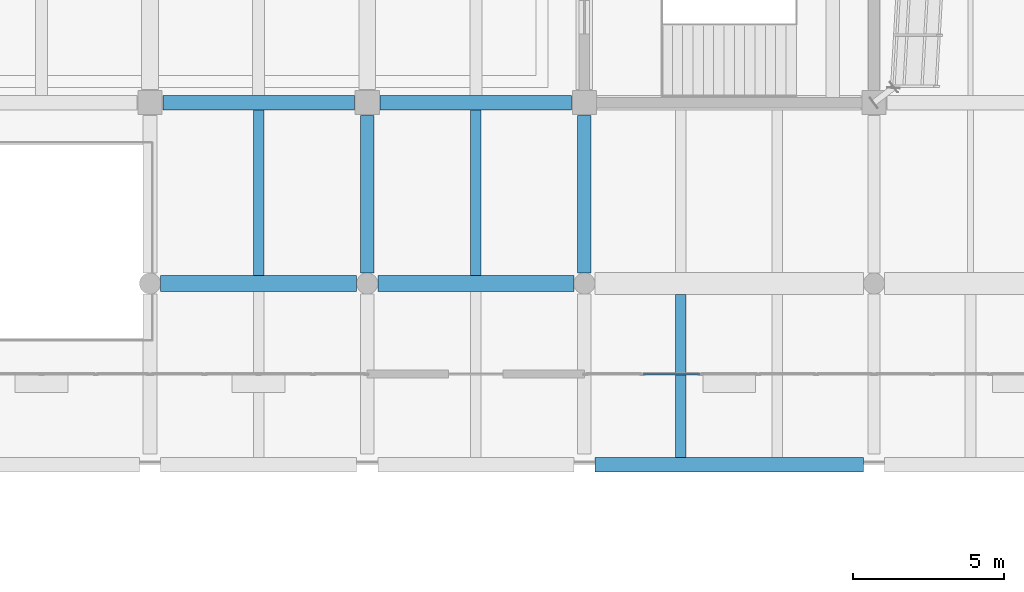
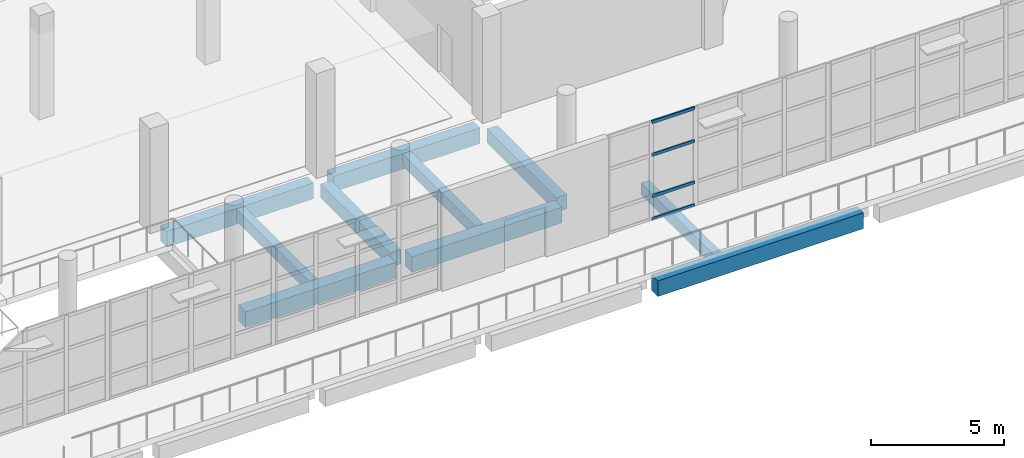
# One storey, part 17 of 79: 10 beams, 4 members, 1 element without a shape of its own.
"""IFC4 building model written with IfcOpenShell, lengths in metres."""

from ifc_helpers import new_model, si_unit, direction, frame, origin, origin_2d, place, context, subcontext, project, spatial, rectangle, hollow_rectangle, extrude, material, material_profile, profile_set, type_object, element, aggregate, save


model = new_model("IFC4")

# Units and contexts
model_context = context("Model", 3, precision=1e-05, world=origin(), true_north=direction((0.0, 1.0)))
body_context = subcontext(model_context, "Body", "Model", "MODEL_VIEW")
ifc_project = project(units=[si_unit("LENGTHUNIT", "METRE"), si_unit("AREAUNIT", "SQUARE_METRE"), si_unit("VOLUMEUNIT", "CUBIC_METRE"), si_unit("PLANEANGLEUNIT", "RADIAN"), si_unit("MASSUNIT", "GRAM", prefix="KILO")], contexts=[model_context])

# Site, building, storey
site_placement = place(None, origin())
site = spatial("IfcSite", under=ifc_project, at=site_placement, CompositionType="ELEMENT")
building_placement = place(site_placement, origin())
building = spatial("IfcBuilding", under=site, at=building_placement, Name="Pellamere Symphony Hall", CompositionType="ELEMENT")
storey_placement = place(building_placement, frame((0.0, 0.0, 10.199951171875)))
storey = spatial("IfcBuildingStorey", under=building, at=storey_placement, Name="L02", CompositionType="ELEMENT", Elevation=10.199951171875)

# Curtain wall, members
ifc_material_1 = material(Name="Thermally Broken Anodised Aluminium 6063-T6 Curtain Wall", Category="aluminium")
curtain_wall_type = type_object("IfcCurtainWallType", Name="Curtain Wall CW-02 (Winter-Garden South Concourse Curtain Wall)", PredefinedType="NOTDEFINED", material=ifc_material_1)
curtain_wall_placement = place(storey_placement, origin())
curtain_wall = element("IfcCurtainWall", 1, at=curtain_wall_placement, inside=storey, type_object=curtain_wall_type, Name="Winter-Garden South Curtain Wall (L02 Bay 10)", PredefinedType="NOTDEFINED")
ifc_material_2 = material(Name="Anodised Architectural Aluminium 6063-T6", Category="aluminium")
ifc_material_profile_1 = material_profile(ifc_material_2, hollow_rectangle(XDim=0.06494140625, YDim=0.139892578125, WallThickness=0.00390625, at=origin_2d()), Name="ALU-T65X140X4")
ifc_profile_set_1 = profile_set([ifc_material_profile_1], Name="Anodised Architectural Aluminium 6063-T6")
member_type = type_object("IfcMemberType", Name="Curtain Wall Transom TR-02 ALU-T65X140X4", PredefinedType="USERDEFINED", material=ifc_profile_set_1)
member_1_placement = place(storey_placement, frame((111.152587890625, 21.0, 0.032470703125), z_axis=(1.0, 0.0, 0.0), x_axis=(0.0, 1.0, 0.0)))
member_1 = element("IfcMember", 2, at=member_1_placement, type_object=member_type, Name="CW2-084 crystal transom 2.1", ObjectType="TRANSOM", PredefinedType="USERDEFINED", context=body_context, shape_type="SweptSolid", body=[
    extrude(hollow_rectangle(XDim=0.06494140625, YDim=0.139892578125, WallThickness=0.00390625, at=origin_2d()), origin(), (0.0, 0.0, 1.0), 1.85498046875),
])
member_2_placement = place(storey_placement, frame((111.152587890625, 21.0, 1.080078125), z_axis=(1.0, 0.0, 0.0), x_axis=(0.0, 1.0, 0.0)))
member_2 = element("IfcMember", 3, at=member_2_placement, type_object=member_type, Name="CW2-084 crystal transom 2.2", ObjectType="TRANSOM", PredefinedType="USERDEFINED", context=body_context, shape_type="SweptSolid", body=[
    extrude(hollow_rectangle(XDim=0.06494140625, YDim=0.139892578125, WallThickness=0.00390625, at=origin_2d()), origin(), (0.0, 0.0, 1.0), 1.85498046875),
])
member_3_placement = place(storey_placement, frame((111.152587890625, 21.0, 2.969970703125), z_axis=(1.0, 0.0, 0.0), x_axis=(0.0, 1.0, 0.0)))
member_3 = element("IfcMember", 4, at=member_3_placement, type_object=member_type, Name="CW2-084 crystal transom 2.3", ObjectType="TRANSOM", PredefinedType="USERDEFINED", context=body_context, shape_type="SweptSolid", body=[
    extrude(hollow_rectangle(XDim=0.06494140625, YDim=0.139892578125, WallThickness=0.00390625, at=origin_2d()), origin(), (0.0, 0.0, 1.0), 1.85498046875),
])
member_4_placement = place(storey_placement, frame((111.152587890625, 21.0, 4.467529296875), z_axis=(1.0, 0.0, 0.0), x_axis=(0.0, 1.0, 0.0)))
member_4 = element("IfcMember", 5, at=member_4_placement, type_object=member_type, Name="CW2-084 crystal transom 2.4", ObjectType="TRANSOM", PredefinedType="USERDEFINED", context=body_context, shape_type="SweptSolid", body=[
    extrude(hollow_rectangle(XDim=0.06494140625, YDim=0.139892578125, WallThickness=0.00390625, at=origin_2d()), origin(), (0.0, 0.0, 1.0), 1.85498046875),
])
aggregate(curtain_wall, [member_1, member_2, member_3, member_4])

# Beams
ifc_material_3 = material(Name="Concrete 40 MPa", Category="concrete")
ifc_material_profile_2 = material_profile(ifc_material_3, rectangle(XDim=0.449951171875, YDim=0.64990234375, at=origin_2d()), Name="RC 450x650")
ifc_profile_set_2 = profile_set([ifc_material_profile_2], Name="Concrete 40 MPa")
beam_type_1 = type_object("IfcBeamType", Name="RC CB-08 450x650", PredefinedType="BEAM", material=ifc_profile_set_2)
for number, where, z_axis, x_axis, name in (
    (6, (102.0, 24.35009765625, -0.60498046875), (0.0, 1.0, 0.0), (-1.0, 0.0, 0.0), "Girder CB-08-Y1305 (L02)"),
    (7, (109.199951171875, 24.35009765625, -0.60498046875), (0.0, 1.0, 0.0), (-1.0, 0.0, 0.0), "Girder CB-08-Y1314 (L02)"),
):
    element("IfcBeam", number, at=place(storey_placement, frame(where, z_axis=z_axis, x_axis=x_axis)), inside=storey, type_object=beam_type_1, Name=name, PredefinedType="BEAM", context=body_context, shape_type="SweptSolid", body=[
        extrude(rectangle(XDim=0.449951171875, YDim=0.64990234375, at=origin_2d()), origin(), (0.0, 0.0, 1.0), 5.224853515625),
    ])
ifc_material_4 = material(Name="Concrete 35 MPa", Category="concrete")
ifc_material_profile_3 = material_profile(ifc_material_4, rectangle(XDim=0.35009765625, YDim=0.550048828125, at=origin_2d()), Name="RC 350x550")
ifc_profile_set_3 = profile_set([ifc_material_profile_3], Name="Concrete 35 MPa")
beam_type_2 = type_object("IfcBeamType", Name="RC CB-10 350x550", PredefinedType="BEAM", material=ifc_profile_set_3)
for number, where, z_axis, x_axis, name in (
    (8, (98.39990234375, 24.27001953125, -0.570068359375), (0.0, 1.0, 0.0), (-1.0, 0.0, 0.0), "Secondary Floor Beam CB-10-M1203 (L02)"),
    (9, (105.60009765625, 24.27001953125, -0.570068359375), (0.0, 1.0, 0.0), (-1.0, 0.0, 0.0), "Secondary Floor Beam CB-10-M1303 (L02)"),
):
    element("IfcBeam", number, at=place(storey_placement, frame(where, z_axis=z_axis, x_axis=x_axis)), inside=storey, type_object=beam_type_2, Name=name, PredefinedType="BEAM", context=body_context, shape_type="SweptSolid", body=[
        extrude(rectangle(XDim=0.35009765625, YDim=0.550048828125, at=origin_2d()), origin(), (0.0, 0.0, 1.0), 5.489990234375),
    ])
beam_1_placement = place(storey_placement, frame((112.39990234375, 18.239990234375, -0.570068359375), z_axis=(0.0, 1.0, 0.0), x_axis=(-1.0, 0.0, 0.0)))
element("IfcBeam", 10, at=beam_1_placement, inside=storey, type_object=beam_type_2, Name="Secondary Floor Beam CB-10-A1402 (L02)", PredefinedType="BEAM", context=body_context, shape_type="SweptSolid", body=[
    extrude(rectangle(XDim=0.35009765625, YDim=0.550048828125, at=origin_2d()), origin(), (0.0, 0.0, 1.0), 5.39990234375),
])
ifc_material_profile_4 = material_profile(ifc_material_3, rectangle(XDim=0.47998046875, YDim=0.719970703125, at=origin_2d()), Name="RC 480x720")
ifc_profile_set_4 = profile_set([ifc_material_profile_4], Name="Concrete 40 MPa")
beam_type_3 = type_object("IfcBeamType", Name="RC CB-14 480x720", PredefinedType="SPANDREL", material=ifc_profile_set_4)
beam_2_placement = place(storey_placement, frame((109.550048828125, 18.0, -0.639892578125), z_axis=(1.0, 0.0, 0.0), x_axis=(0.0, 1.0, 0.0)))
element("IfcBeam", 11, at=beam_2_placement, inside=storey, type_object=beam_type_3, Name="Girder CB-14-X1049 (L02)", PredefinedType="SPANDREL", context=body_context, shape_type="SweptSolid", body=[
    extrude(rectangle(XDim=0.47998046875, YDim=0.719970703125, at=origin_2d()), origin(), (0.0, 0.0, 1.0), 8.89990234375),
])
for number, where, z_axis, x_axis, name in (
    (12, (95.22509765625, 30.0, -0.639892578125), (1.0, 0.0, 0.0), (0.0, 1.0, 0.0), "Girder CB-14-X1080 (L02)"),
    (13, (102.425048828125, 30.0, -0.639892578125), (1.0, 0.0, 0.0), (0.0, 1.0, 0.0), "Girder CB-14-X1081 (L02)"),
):
    element("IfcBeam", number, at=place(storey_placement, frame(where, z_axis=z_axis, x_axis=x_axis)), inside=storey, type_object=beam_type_3, Name=name, PredefinedType="SPANDREL", context=body_context, shape_type="SweptSolid", body=[
        extrude(rectangle(XDim=0.47998046875, YDim=0.719970703125, at=origin_2d()), origin(), (0.0, 0.0, 1.0), 6.349853515625),
    ])
ifc_material_profile_5 = material_profile(ifc_material_3, rectangle(XDim=0.5400390625, YDim=0.719970703125, at=origin_2d()), Name="RC 540x720")
ifc_profile_set_5 = profile_set([ifc_material_profile_5], Name="Concrete 40 MPa")
beam_type_4 = type_object("IfcBeamType", Name="RC CB-24 540x720", PredefinedType="BEAM", material=ifc_profile_set_5)
for number, where, z_axis, x_axis, name in (
    (14, (95.14990234375, 24.0, -0.639892578125), (1.0, 0.0, 0.0), (0.0, 1.0, 0.0), "Girder CB-24-X1062 (L02)"),
    (15, (102.35009765625, 24.0, -0.639892578125), (1.0, 0.0, 0.0), (0.0, 1.0, 0.0), "Girder CB-24-X1063 (L02)"),
):
    element("IfcBeam", number, at=place(storey_placement, frame(where, z_axis=z_axis, x_axis=x_axis)), inside=storey, type_object=beam_type_4, Name=name, PredefinedType="BEAM", context=body_context, shape_type="SweptSolid", body=[
        extrude(rectangle(XDim=0.5400390625, YDim=0.719970703125, at=origin_2d()), origin(), (0.0, 0.0, 1.0), 6.5),
    ])

save(model, "model.ifc")
